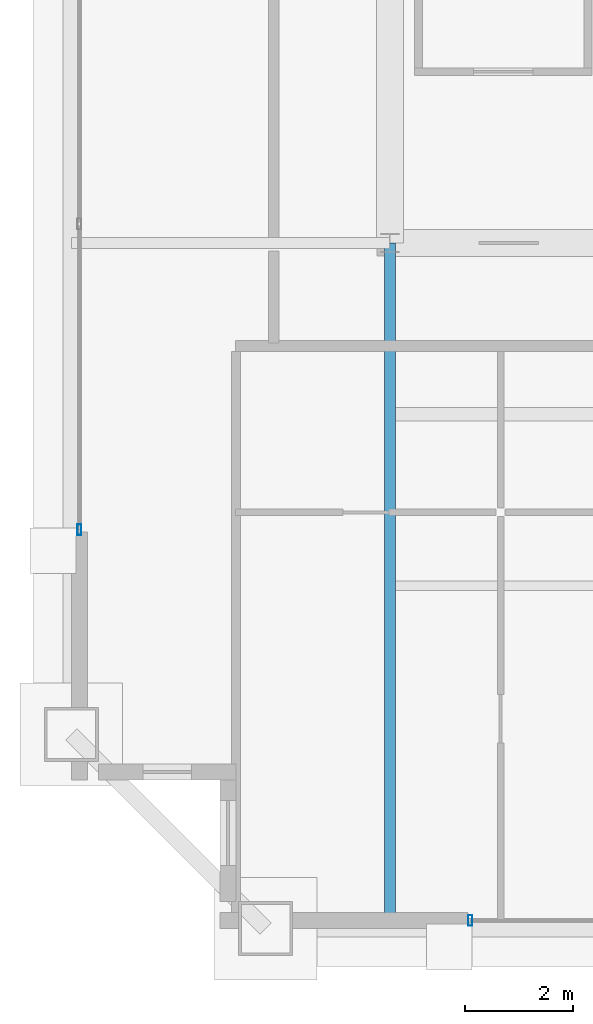
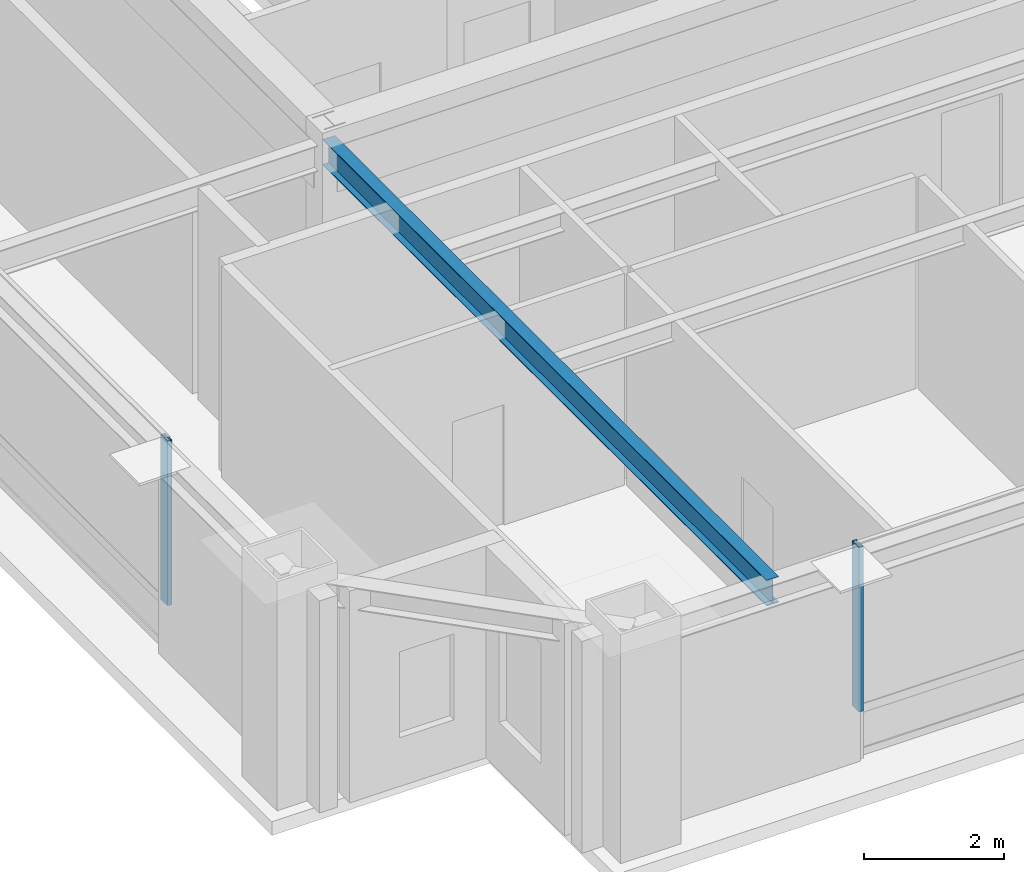
# One storey, part 4 of 34: 2 members, 1 beam, 2 elements without a shape of their own.
"""IFC4 building model written with IfcOpenShell, lengths in metres."""

from ifc_helpers import new_model, si_unit, direction, frame, origin, origin_2d, place, context, subcontext, project, spatial, hollow_rectangle, i_section, extrude, source, transform, mapped, material, layer, layer_set, material_profile, profile_set, type_object, element, aggregate, save


model = new_model("IFC4")

# Units and contexts
model_context = context("Model", 3, precision=1e-05, world=origin(), true_north=direction((0.0, 1.0)))
body_context = subcontext(model_context, "Body", "Model", "MODEL_VIEW")
ifc_project = project(units=[si_unit("LENGTHUNIT", "METRE"), si_unit("AREAUNIT", "SQUARE_METRE"), si_unit("VOLUMEUNIT", "CUBIC_METRE"), si_unit("PLANEANGLEUNIT", "RADIAN"), si_unit("MASSUNIT", "GRAM", prefix="KILO"), si_unit("THERMODYNAMICTEMPERATUREUNIT", "KELVIN"), si_unit("POWERUNIT", "WATT")], contexts=[model_context])

# Site, building, storey
site_placement = place(None, origin())
site = spatial("IfcSite", under=ifc_project, at=site_placement, CompositionType="ELEMENT")
building_placement = place(site_placement, origin())
building = spatial("IfcBuilding", under=site, at=building_placement, Name="Yuzanri Waterfront Tower", CompositionType="ELEMENT")
storey_placement = place(building_placement, frame((0.0, 0.0, 347.199951171875)))
storey = spatial("IfcBuildingStorey", under=building, at=storey_placement, Name="L93", CompositionType="ELEMENT", Elevation=347.199951171875)

# Beam
ifc_material_1 = material(Name="Steel Q355B", Category="steel")
ifc_material_profile_1 = material_profile(ifc_material_1, i_section(OverallWidth=0.199951171875, OverallDepth=0.449951171875, WebThickness=0.009033203125, FlangeThickness=0.013916015625, at=origin_2d()), Name="HN 450x200x9x14")
ifc_profile_set_1 = profile_set([ifc_material_profile_1], Name="Steel Q355B")
beam_type = type_object("IfcBeamType", Name="Secondary Floor Beam Q355B HN 450x200", PredefinedType="BEAM", material=ifc_profile_set_1)
shared_shape_1 = source(origin(), body_context, "Body", "SweptSolid", [
    extrude(i_section(OverallWidth=0.199951171875, OverallDepth=0.449951171875, WebThickness=0.009033203125, FlangeThickness=0.013916015625, at=origin_2d()), origin(), (0.0, 0.0, 1.0), 12.699951171875),
])
beam_placement = place(storey_placement, frame((23.800048828125, 19.39990234375, 3.47509765625), z_axis=(0.0, -1.0, 0.0), x_axis=(1.0, 0.0, 0.0)))
element("IfcBeam", 1, at=beam_placement, inside=storey, type_object=beam_type, Name="L93 South-West Core Line Beam", PredefinedType="BEAM", context=body_context, shape_type="MappedRepresentation", body=[
    mapped(shared_shape_1, transform((0.0, 0.0, 0.0), scale=1.0)),
])

# Curtain wall, member
ifc_material_2 = material(Name="Anodized Architectural Bronze", Category="metal")
ifc_layer = layer(ifc_material_2, 0.159912109375)
ifc_layer_set = layer_set([ifc_layer], Name="Anodized Architectural Bronze")
curtain_wall_type = type_object("IfcCurtainWallType", Name="Anodized Bronze High-Rise Penthouse High-Wind Unitized Curtain Wall 6900", PredefinedType="NOTDEFINED", material=ifc_layer_set)
curtain_wall_1_placement = place(storey_placement, origin())
curtain_wall_1 = element("IfcCurtainWall", 2, at=curtain_wall_1_placement, inside=storey, type_object=curtain_wall_type, Name="L93 Curtain Wall CW-L93-SL", PredefinedType="NOTDEFINED")
ifc_material_3 = material(Name="Anodized Architectural Bronze", Category="metal")
ifc_material_profile_2 = material_profile(ifc_material_3, hollow_rectangle(XDim=0.074951171875, YDim=0.199951171875, WallThickness=0.00390625, at=origin_2d()), Name="CWM 75x200")
ifc_profile_set_2 = profile_set([ifc_material_profile_2], Name="Anodized Architectural Bronze")
member_type = type_object("IfcMemberType", Name="Anodized Bronze Primary Curtain-Wall Mullion 75x200", PredefinedType="MULLION", material=ifc_profile_set_2)
shared_shape_2 = source(origin(), body_context, "Body", "SweptSolid", [
    extrude(hollow_rectangle(XDim=0.074951171875, YDim=0.199951171875, WallThickness=0.00390625, at=origin_2d()), origin(), (0.0, 0.0, 1.0), 2.8779296875),
])
member_1_placement = place(storey_placement, frame((25.2900390625, 6.85009765625, 0.822021484375), z_axis=(0.0, 0.0, 1.0), x_axis=(1.0, 0.0, 0.0)))
member_1 = element("IfcMember", 3, at=member_1_placement, type_object=member_type, Name="CW-L93-SL Upper Mullion 00", PredefinedType="MULLION", context=body_context, shape_type="MappedRepresentation", body=[
    mapped(shared_shape_2, transform((0.0, 0.0, 0.0), scale=1.0)),
])
aggregate(curtain_wall_1, [member_1])

curtain_wall_2_placement = place(storey_placement, origin())
curtain_wall_2 = element("IfcCurtainWall", 4, at=curtain_wall_2_placement, inside=storey, type_object=curtain_wall_type, Name="L93 Curtain Wall CW-L93-WL", PredefinedType="NOTDEFINED")
member_2_placement = place(storey_placement, frame((18.050048828125, 14.090087890625, 0.822021484375), z_axis=(0.0, 0.0, 1.0), x_axis=(1.0, 0.0, 0.0)))
member_2 = element("IfcMember", 5, at=member_2_placement, type_object=member_type, Name="CW-L93-WL Upper Mullion 00", PredefinedType="MULLION", context=body_context, shape_type="MappedRepresentation", body=[
    mapped(shared_shape_2, transform((0.0, 0.0, 0.0), scale=1.0)),
])
aggregate(curtain_wall_2, [member_2])

save(model, "model.ifc")
